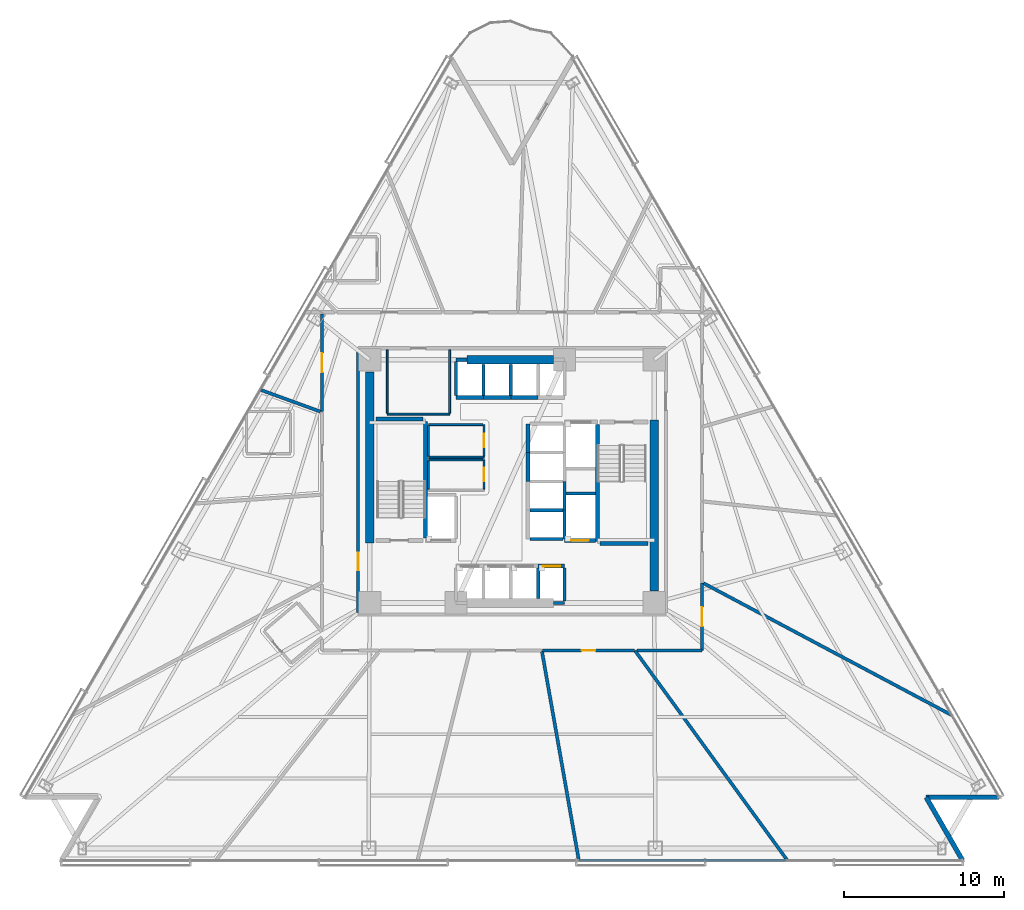
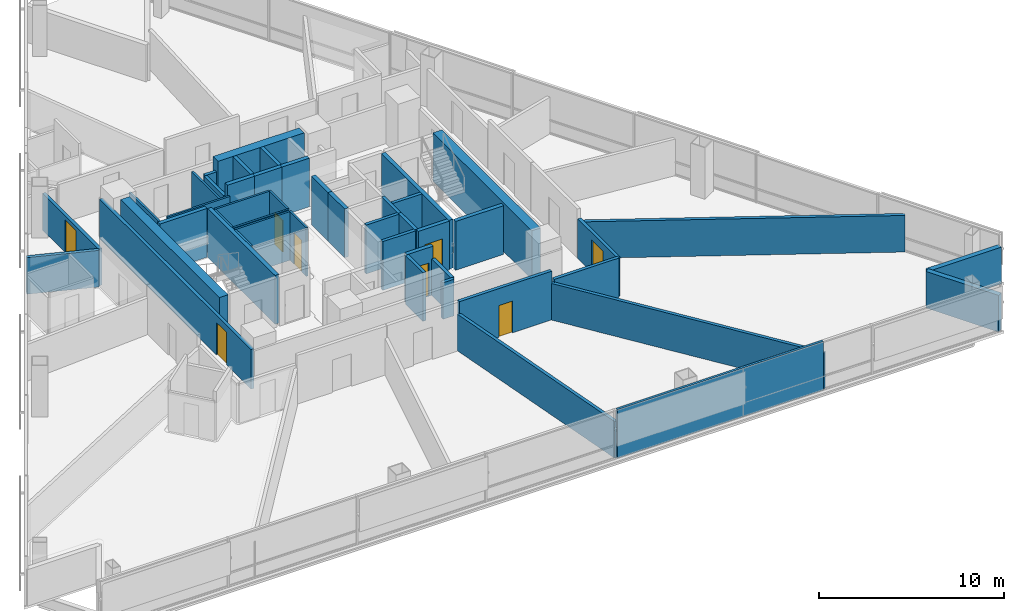
# One storey, part 8 of 16: 48 walls, 8 doors, 8 openings.
"""IFC4 building model written with IfcOpenShell, lengths in metres."""

from ifc_helpers import new_model, si_unit, direction, frame, frame_2d, origin, place, context, subcontext, project, spatial, rectangle, extrude, material, layer, layer_set, type_object, element, fill, save


model = new_model("IFC4")

# Units and contexts
model_context = context("Model", 3, precision=1e-05, world=origin(), true_north=direction((0.0, 1.0)))
body_context = subcontext(model_context, "Body", "Model", "MODEL_VIEW")
ifc_project = project(units=[si_unit("LENGTHUNIT", "METRE"), si_unit("AREAUNIT", "SQUARE_METRE"), si_unit("VOLUMEUNIT", "CUBIC_METRE"), si_unit("PLANEANGLEUNIT", "RADIAN"), si_unit("MASSUNIT", "GRAM", prefix="KILO")], contexts=[model_context])

# Site, building, storey
site_placement = place(None, origin())
site = spatial("IfcSite", under=ifc_project, at=site_placement, CompositionType="ELEMENT")
building_placement = place(site_placement, origin())
building = spatial("IfcBuilding", under=site, at=building_placement, Name="Tharavind Bronze Gate", CompositionType="ELEMENT")
storey_placement = place(building_placement, frame((0.0, 0.0, 45.449951171875)))
storey = spatial("IfcBuildingStorey", under=building, at=storey_placement, Name="L10", CompositionType="ELEMENT", Elevation=45.449951171875)

# Walls
ifc_material_1 = material(Name="Concrete C40/50", Category="concrete")
ifc_layer_1 = layer(ifc_material_1, 0.300048828125)
ifc_layer_set_1 = layer_set([ifc_layer_1], Name="Concrete C40/50")
wall_type_1 = type_object("IfcWallType", Name="EXTERIOR SPANDREL WALL 300", PredefinedType="STANDARD", material=ifc_layer_set_1)
wall_1_placement = place(storey_placement, frame((28.17578125, -23.699951171875, 0.0), z_axis=(0.0, 0.0, 1.0), x_axis=(-0.500014431597, 0.866017071537, 0.0)))
element("IfcWall", 1, at=wall_1_placement, inside=storey, type_object=wall_type_1, Name="L10 notch cheek wall 3A", PredefinedType="STANDARD", context=body_context, shape_type="SweptSolid", body=[
    extrude(rectangle(XDim=4.559814453125, YDim=0.300048828125, at=frame_2d((2.27978515625, 0.0))), origin(), (0.0, 0.0, 1.0), 2.420166015625),
])
wall_2_placement = place(storey_placement, frame((25.895751953125, -19.7509765625, 0.0), z_axis=(0.0, 0.0, 1.0), x_axis=(1.0, 0.0, 0.0)))
element("IfcWall", 2, at=wall_2_placement, inside=storey, type_object=wall_type_1, Name="L10 notch cheek wall 3B", PredefinedType="STANDARD", context=body_context, shape_type="SweptSolid", body=[
    extrude(rectangle(XDim=4.56005859375, YDim=0.300048828125, at=frame_2d((2.280029296875, 0.0))), origin(), (0.0, 0.0, 1.0), 2.420166015625),
])

# Wall, opening, door
ifc_material_2 = material(Name="Aerated Concrete Block", Category="concrete")
ifc_layer_2 = layer(ifc_material_2, 0.199951171875)
ifc_layer_set_2 = layer_set([ifc_layer_2], Name="Aerated Concrete Block")
wall_type_2 = type_object("IfcWallType", Name="FIRE RATED PARTITION 200", PredefinedType="PARTITIONING", material=ifc_layer_set_2)
wall_3_placement = place(storey_placement, frame((-9.6201171875, 8.199951171875, 0.0), z_axis=(0.0, 0.0, 1.0), x_axis=(0.0, -1.0, 0.0)))
wall_3 = element("IfcWall", 3, at=wall_3_placement, inside=storey, type_object=wall_type_2, Name="L10 west core corridor wall", PredefinedType="PARTITIONING", context=body_context, shape_type="SweptSolid", body=[
    extrude(rectangle(XDim=16.39990234375, YDim=0.199951171875, at=frame_2d((8.199951171875, 0.0))), origin(), (0.0, 0.0, 1.0), 2.6201171875),
])
opening_1_placement = place(wall_3_placement, frame((12.64990234375, 0.0, 0.0)))
opening_1 = element("IfcOpeningElement", 4, at=opening_1_placement, cuts=wall_3, Name="Opening ID01", PredefinedType="OPENING", context=body_context, shape_type="SweptSolid", body=[
    extrude(rectangle(XDim=1.10009765625, YDim=2.14990234375, at=frame_2d((0.550048828125, 1.074951171875))), frame((0.0, 0.11009765625, 0.0), z_axis=(0.0, -1.0, 0.0), x_axis=(1.0, 0.0, 0.0)), (0.0, 0.0, 1.0), 0.219951171875),
])
ifc_material_3 = material(Name="Fire-Rated Steel", Category="steel")
door_type_1 = type_object("IfcDoorType", Name="STAIR CORE FIRE DOOR 1100X2150", OperationType="SINGLE_SWING_LEFT", PredefinedType="DOOR", material=ifc_material_3)
door_1_placement = place(opening_1_placement, frame((1.10009765625, 0.0, 0.0), z_axis=(0.0, 0.0, 1.0), x_axis=(-1.0, 0.0, 0.0)))
door_1 = element("IfcDoor", 5, at=door_1_placement, inside=storey, type_object=door_type_1, Name="L10 south west stair lobby fire door", OperationType="SINGLE_SWING_LEFT", OverallHeight=2.14990234375, OverallWidth=1.10009765625, PredefinedType="DOOR", context=body_context, shape_type="SweptSolid", body=[
    extrude(rectangle(XDim=1.10009765625, YDim=2.14990234375, at=frame_2d((0.550048828125, 1.074951171875))), frame((0.0, 0.02490234375, 0.0), z_axis=(0.0, -1.0, 0.0), x_axis=(1.0, 0.0, 0.0)), (0.0, 0.0, 1.0), 0.050048828125),
])
fill(opening_1, door_1)

# Wall
wall_4_placement = place(storey_placement, frame((4.17529296875, -23.67919921875, 0.0), z_axis=(0.0, 0.0, 1.0), x_axis=(-0.173657301911, 0.984806144118, 0.0)))
element("IfcWall", 6, at=wall_4_placement, inside=storey, type_object=wall_type_2, Name="L10 Public Restrooms Block partition", PredefinedType="PARTITIONING", context=body_context, shape_type="SweptSolid", body=[
    extrude(rectangle(XDim=13.271484375, YDim=0.199951171875, at=frame_2d((6.6357421875, 0.0))), origin(), (0.0, 0.0, 1.0), 2.420166015625),
])

# Wall, opening, door
wall_5_placement = place(storey_placement, frame((1.895263671875, -10.580078125, 0.0), z_axis=(0.0, 0.0, 1.0), x_axis=(1.0, 0.0, 0.0)))
wall_5 = element("IfcWall", 7, at=wall_5_placement, inside=storey, type_object=wall_type_2, Name="L10 Public Restrooms Block partition", PredefinedType="PARTITIONING", context=body_context, shape_type="SweptSolid", body=[
    extrude(rectangle(XDim=5.77880859375, YDim=0.199951171875, at=frame_2d((2.889404296875, 0.0))), origin(), (0.0, 0.0, 1.0), 3.22509765625),
])
opening_2_placement = place(wall_5_placement, frame((2.464111328125, 0.0, 0.0)))
opening_2 = element("IfcOpeningElement", 8, at=opening_2_placement, cuts=wall_5, Name="Opening ID06", PredefinedType="OPENING", context=body_context, shape_type="SweptSolid", body=[
    extrude(rectangle(XDim=0.85009765625, YDim=2.10009765625, at=frame_2d((0.425048828125, 1.050048828125))), frame((0.0, 0.11009765625, 0.0), z_axis=(0.0, -1.0, 0.0), x_axis=(1.0, 0.0, 0.0)), (0.0, 0.0, 1.0), 0.219951171875),
])
ifc_material_4 = material(Name="Moisture-Resistant Timber", Category="wood")
door_type_2 = type_object("IfcDoorType", Name="BATHROOM PRIVACY DOOR 850X2100", OperationType="SINGLE_SWING_RIGHT", PredefinedType="DOOR", material=ifc_material_4)
door_2_placement = place(opening_2_placement, origin())
door_2 = element("IfcDoor", 9, at=door_2_placement, inside=storey, type_object=door_type_2, Name="L10 Public Restrooms Block door", OperationType="SINGLE_SWING_RIGHT", OverallHeight=2.10009765625, OverallWidth=0.85009765625, PredefinedType="DOOR", context=body_context, shape_type="SweptSolid", body=[
    extrude(rectangle(XDim=0.85009765625, YDim=2.10009765625, at=frame_2d((0.425048828125, 1.050048828125))), frame((0.0, 0.02490234375, 0.0), z_axis=(0.0, -1.0, 0.0), x_axis=(1.0, 0.0, 0.0)), (0.0, 0.0, 1.0), 0.050048828125),
])
fill(opening_2, door_2)

# Wall
wall_6_placement = place(storey_placement, frame((7.6943359375, -10.59033203125, 0.0), z_axis=(0.0, 0.0, 1.0), x_axis=(0.587783732443, -0.809018098608, 0.0)))
element("IfcWall", 10, at=wall_6_placement, inside=storey, type_object=wall_type_2, Name="L10 Public Restrooms Block partition", PredefinedType="PARTITIONING", context=body_context, shape_type="SweptSolid", body=[
    extrude(rectangle(XDim=16.204345703125, YDim=0.199951171875, at=frame_2d((8.10205078125, 0.0))), origin(), (0.0, 0.0, 1.0), 2.420166015625),
])

# Wall, opening, door
wall_7_placement = place(storey_placement, frame((-11.8798828125, 10.47509765625, 0.0), z_axis=(0.0, 0.0, 1.0), x_axis=(0.0, -1.0, 0.0)))
wall_7 = element("IfcWall", 11, at=wall_7_placement, inside=storey, type_object=wall_type_2, Name="L10 Hotel Guest Lounge partition", PredefinedType="PARTITIONING", context=body_context, shape_type="SweptSolid", body=[
    extrude(rectangle(XDim=6.115478515625, YDim=0.199951171875, at=frame_2d((3.0576171875, 0.0))), origin(), (0.0, 0.0, 1.0), 2.420166015625),
])
opening_3_placement = place(wall_7_placement, frame((2.4580078125, 0.0, 0.0)))
opening_3 = element("IfcOpeningElement", 12, at=opening_3_placement, cuts=wall_7, Name="Opening ID05", PredefinedType="OPENING", context=body_context, shape_type="SweptSolid", body=[
    extrude(rectangle(XDim=1.199951171875, YDim=2.14990234375, at=frame_2d((0.60009765625, 1.074951171875))), frame((0.0, 0.11009765625, 0.0), z_axis=(0.0, -1.0, 0.0), x_axis=(1.0, 0.0, 0.0)), (0.0, 0.0, 1.0), 0.219951171875),
])
ifc_material_5 = material(Name="Acoustic Laminated Glass", Category="glass")
door_type_3 = type_object("IfcDoorType", Name="MEETING ROOM GLAZED DOOR 1200X2150", OperationType="SINGLE_SWING_LEFT", PredefinedType="DOOR", material=ifc_material_5)
door_3_placement = place(opening_3_placement, origin())
door_3 = element("IfcDoor", 13, at=door_3_placement, inside=storey, type_object=door_type_3, Name="L10 Hotel Guest Lounge door", OperationType="SINGLE_SWING_LEFT", OverallHeight=2.14990234375, OverallWidth=1.199951171875, PredefinedType="DOOR", context=body_context, shape_type="SweptSolid", body=[
    extrude(rectangle(XDim=1.199951171875, YDim=2.14990234375, at=frame_2d((0.60009765625, 1.074951171875))), frame((0.0, 0.02490234375, 0.0), z_axis=(0.0, -1.0, 0.0), x_axis=(1.0, 0.0, 0.0)), (0.0, 0.0, 1.0), 0.050048828125),
])
fill(opening_3, door_3)

# Wall
wall_8_placement = place(storey_placement, frame((-11.985107421875, 4.3623046875, 0.0), z_axis=(0.0, 0.0, 1.0), x_axis=(-0.939696437289, 0.342009657388, 0.0)))
element("IfcWall", 14, at=wall_8_placement, inside=storey, type_object=wall_type_2, Name="L10 Hotel Guest Lounge partition", PredefinedType="PARTITIONING", context=body_context, shape_type="SweptSolid", body=[
    extrude(rectangle(XDim=3.970458984375, YDim=0.199951171875, at=frame_2d((1.9853515625, 0.0))), origin(), (0.0, 0.0, 1.0), 2.420166015625),
])

# Wall, opening, door
wall_9_placement = place(storey_placement, frame((11.8798828125, -10.579345703125, 0.0), z_axis=(0.0, 0.0, 1.0), x_axis=(0.0, 1.0, 0.0)))
wall_9 = element("IfcWall", 15, at=wall_9_placement, inside=storey, type_object=wall_type_2, Name="L10 Hotel Guest Lounge partition", PredefinedType="PARTITIONING", context=body_context, shape_type="SweptSolid", body=[
    extrude(rectangle(XDim=4.220947265625, YDim=0.199951171875, at=frame_2d((2.1103515625, 0.0))), origin(), (0.0, 0.0, 1.0), 2.6201171875),
])
opening_4_placement = place(wall_9_placement, frame((1.510986328125, 0.0, 0.0)))
opening_4 = element("IfcOpeningElement", 16, at=opening_4_placement, cuts=wall_9, Name="Opening ID05", PredefinedType="OPENING", context=body_context, shape_type="SweptSolid", body=[
    extrude(rectangle(XDim=1.199951171875, YDim=2.14990234375, at=frame_2d((0.60009765625, 1.074951171875))), frame((0.0, 0.11009765625, 0.0), z_axis=(0.0, -1.0, 0.0), x_axis=(1.0, 0.0, 0.0)), (0.0, 0.0, 1.0), 0.219951171875),
])
door_4_placement = place(opening_4_placement, origin())
door_4 = element("IfcDoor", 17, at=door_4_placement, inside=storey, type_object=door_type_3, Name="L10 Hotel Guest Lounge door", OperationType="SINGLE_SWING_LEFT", OverallHeight=2.14990234375, OverallWidth=1.199951171875, PredefinedType="DOOR", context=body_context, shape_type="SweptSolid", body=[
    extrude(rectangle(XDim=1.199951171875, YDim=2.14990234375, at=frame_2d((0.60009765625, 1.074951171875))), frame((0.0, 0.02490234375, 0.0), z_axis=(0.0, -1.0, 0.0), x_axis=(1.0, 0.0, 0.0)), (0.0, 0.0, 1.0), 0.050048828125),
])
fill(opening_4, door_4)

# Walls
wall_10_placement = place(storey_placement, frame((11.985107421875, -6.37255859375, 0.0), z_axis=(0.0, 0.0, 1.0), x_axis=(0.882946229684, -0.469474126536, 0.0)))
element("IfcWall", 18, at=wall_10_placement, inside=storey, type_object=wall_type_2, Name="L10 Hotel Guest Lounge partition", PredefinedType="PARTITIONING", context=body_context, shape_type="SweptSolid", body=[
    extrude(rectangle(XDim=17.5556640625, YDim=0.199951171875, at=frame_2d((8.77783203125, 0.0))), origin(), (0.0, 0.0, 1.0), 2.420166015625),
])
wall_11_placement = place(storey_placement, frame((7.816650390625, -10.580078125, 0.0), z_axis=(0.0, 0.0, 1.0), x_axis=(1.0, 0.0, 0.0)))
element("IfcWall", 19, at=wall_11_placement, inside=storey, type_object=wall_type_2, Name="L10 Hotel Guest Lounge partition", PredefinedType="PARTITIONING", context=body_context, shape_type="SweptSolid", body=[
    extrude(rectangle(XDim=4.062744140625, YDim=0.199951171875, at=frame_2d((2.03125, 0.0))), origin(), (0.0, 0.0, 1.0), 2.6201171875),
])
ifc_material_6 = material(Name="Metal Stud Gypsum Partition", Category="gypsum")
ifc_layer_3 = layer(ifc_material_6, 0.1201171875)
ifc_layer_set_3 = layer_set([ifc_layer_3], Name="Metal Stud Gypsum Partition")
wall_type_3 = type_object("IfcWallType", Name="INTERIOR PARTITION WALL 120", PredefinedType="PARTITIONING", material=ifc_layer_set_3)
wall_12_placement = place(storey_placement, frame((-5.219970703125, 1.52001953125, 0.0), z_axis=(0.0, 0.0, 1.0), x_axis=(1.0, 0.0, 0.0)))
element("IfcWall", 20, at=wall_12_placement, inside=storey, type_object=wall_type_3, Name="L10 Cleaner Store Room partition 1", PredefinedType="PARTITIONING", context=body_context, shape_type="SweptSolid", body=[
    extrude(rectangle(XDim=3.469970703125, YDim=0.1201171875, at=frame_2d((1.73486328125, 0.0))), origin(), (0.0, 0.0, 1.0), 3.22509765625),
])

# Wall, opening, door
wall_13_placement = place(storey_placement, frame((-1.75, 1.5849609375, 0.0), z_axis=(0.0, 0.0, 1.0), x_axis=(0.0, 1.0, 0.0)))
wall_13 = element("IfcWall", 21, at=wall_13_placement, inside=storey, type_object=wall_type_3, Name="L10 Cleaner Store Room partition 2", PredefinedType="PARTITIONING", context=body_context, shape_type="SweptSolid", body=[
    extrude(rectangle(XDim=1.965087890625, YDim=0.1201171875, at=frame_2d((0.982421875, 0.0))), origin(), (0.0, 0.0, 1.0), 3.22509765625),
])
opening_5_placement = place(wall_13_placement, frame((0.556884765625, 0.0, 0.0)))
opening_5 = element("IfcOpeningElement", 22, at=opening_5_placement, cuts=wall_13, Name="Opening ID06", PredefinedType="OPENING", context=body_context, shape_type="SweptSolid", body=[
    extrude(rectangle(XDim=0.85009765625, YDim=2.10009765625, at=frame_2d((0.425048828125, 1.050048828125))), frame((0.0, 0.07005859375, 0.0), z_axis=(0.0, -1.0, 0.0), x_axis=(1.0, 0.0, 0.0)), (0.0, 0.0, 1.0), 0.1401171875),
])
door_5_placement = place(opening_5_placement, frame((0.85009765625, 0.0, 0.0), z_axis=(0.0, 0.0, 1.0), x_axis=(-1.0, 0.0, 0.0)))
door_5 = element("IfcDoor", 23, at=door_5_placement, inside=storey, type_object=door_type_2, Name="L10 Cleaner Store Room door", OperationType="SINGLE_SWING_RIGHT", OverallHeight=2.10009765625, OverallWidth=0.85009765625, PredefinedType="DOOR", context=body_context, shape_type="SweptSolid", body=[
    extrude(rectangle(XDim=0.85009765625, YDim=2.10009765625, at=frame_2d((0.425048828125, 1.050048828125))), frame((0.0, 0.02490234375, 0.0), z_axis=(0.0, -1.0, 0.0), x_axis=(1.0, 0.0, 0.0)), (0.0, 0.0, 1.0), 0.050048828125),
])
fill(opening_5, door_5)

# Walls
wall_14_placement = place(storey_placement, frame((-1.81494140625, 3.550048828125, 0.0), z_axis=(0.0, 0.0, 1.0), x_axis=(-1.0, 0.0, 0.0)))
element("IfcWall", 24, at=wall_14_placement, inside=storey, type_object=wall_type_3, Name="L10 Cleaner Store Room partition 3", PredefinedType="PARTITIONING", context=body_context, shape_type="SweptSolid", body=[
    extrude(rectangle(XDim=3.405029296875, YDim=0.1201171875, at=frame_2d((1.70263671875, 0.0))), origin(), (0.0, 0.0, 1.0), 3.22509765625),
])
wall_15_placement = place(storey_placement, frame((-5.219970703125, 3.485107421875, 0.0), z_axis=(0.0, 0.0, 1.0), x_axis=(0.0, -1.0, 0.0)))
element("IfcWall", 25, at=wall_15_placement, inside=storey, type_object=wall_type_3, Name="L10 Cleaner Store Room partition 4", PredefinedType="PARTITIONING", context=body_context, shape_type="SweptSolid", body=[
    extrude(rectangle(XDim=1.900146484375, YDim=0.1201171875, at=frame_2d((0.9501953125, 0.0))), origin(), (0.0, 0.0, 1.0), 3.22509765625),
])

# Wall, opening, door
wall_16_placement = place(storey_placement, frame((-1.75, -0.485107421875, 0.0), z_axis=(0.0, 0.0, 1.0), x_axis=(0.0, 1.0, 0.0)))
wall_16 = element("IfcWall", 26, at=wall_16_placement, inside=storey, type_object=wall_type_3, Name="L10 Electrical Switch Room partition 2", PredefinedType="PARTITIONING", context=body_context, shape_type="SweptSolid", body=[
    extrude(rectangle(XDim=1.8251953125, YDim=0.1201171875, at=frame_2d((0.91259765625, 0.0))), origin(), (0.0, 0.0, 1.0), 3.22509765625),
])
opening_6_placement = place(wall_16_placement, frame((0.488037109375, 0.0, 0.0)))
opening_6 = element("IfcOpeningElement", 27, at=opening_6_placement, cuts=wall_16, Name="Opening ID06", PredefinedType="OPENING", context=body_context, shape_type="SweptSolid", body=[
    extrude(rectangle(XDim=0.85009765625, YDim=2.10009765625, at=frame_2d((0.425048828125, 1.050048828125))), frame((0.0, 0.07005859375, 0.0), z_axis=(0.0, -1.0, 0.0), x_axis=(1.0, 0.0, 0.0)), (0.0, 0.0, 1.0), 0.1401171875),
])
door_6_placement = place(opening_6_placement, frame((0.85009765625, 0.0, 0.0), z_axis=(0.0, 0.0, 1.0), x_axis=(-1.0, 0.0, 0.0)))
door_6 = element("IfcDoor", 28, at=door_6_placement, inside=storey, type_object=door_type_2, Name="L10 Electrical Switch Room door", OperationType="SINGLE_SWING_RIGHT", OverallHeight=2.10009765625, OverallWidth=0.85009765625, PredefinedType="DOOR", context=body_context, shape_type="SweptSolid", body=[
    extrude(rectangle(XDim=0.85009765625, YDim=2.10009765625, at=frame_2d((0.425048828125, 1.050048828125))), frame((0.0, 0.02490234375, 0.0), z_axis=(0.0, -1.0, 0.0), x_axis=(1.0, 0.0, 0.0)), (0.0, 0.0, 1.0), 0.050048828125),
])
fill(opening_6, door_6)

# Walls
wall_17_placement = place(storey_placement, frame((-1.81494140625, 1.340087890625, 0.0), z_axis=(0.0, 0.0, 1.0), x_axis=(-1.0, 0.0, 0.0)))
element("IfcWall", 29, at=wall_17_placement, inside=storey, type_object=wall_type_3, Name="L10 Electrical Switch Room partition 3", PredefinedType="PARTITIONING", context=body_context, shape_type="SweptSolid", body=[
    extrude(rectangle(XDim=3.405029296875, YDim=0.1201171875, at=frame_2d((1.70263671875, 0.0))), origin(), (0.0, 0.0, 1.0), 3.22509765625),
])
wall_18_placement = place(storey_placement, frame((-5.219970703125, 1.27490234375, 0.0), z_axis=(0.0, 0.0, 1.0), x_axis=(0.0, -1.0, 0.0)))
element("IfcWall", 30, at=wall_18_placement, inside=storey, type_object=wall_type_3, Name="L10 Electrical Switch Room partition 4", PredefinedType="PARTITIONING", context=body_context, shape_type="SweptSolid", body=[
    extrude(rectangle(XDim=1.760009765625, YDim=0.1201171875, at=frame_2d((0.8798828125, 0.0))), origin(), (0.0, 0.0, 1.0), 3.22509765625),
])
wall_19_placement = place(storey_placement, frame((-7.800048828125, 4.199951171875, 0.0), z_axis=(0.0, 0.0, 1.0), x_axis=(1.0, 0.0, 0.0)))
element("IfcWall", 31, at=wall_19_placement, inside=storey, type_object=wall_type_3, Name="L10 Electrical Switch Room partition 1", PredefinedType="PARTITIONING", context=body_context, shape_type="SweptSolid", body=[
    extrude(rectangle(XDim=3.900146484375, YDim=0.1201171875, at=frame_2d((1.9501953125, 0.0))), origin(), (0.0, 0.0, 1.0), 3.22509765625),
])
for number, where, z_axis, x_axis, name in (
    (32, (-3.89990234375, 4.264892578125, 0.0), (0.0, 0.0, 1.0), (0.0, 1.0, 0.0), "L10 Electrical Switch Room partition 2"),
    (33, (-7.800048828125, 8.215087890625, 0.0), (0.0, 0.0, 1.0), (0.0, -1.0, 0.0), "L10 Electrical Switch Room partition 4"),
):
    element("IfcWall", number, at=place(storey_placement, frame(where, z_axis=z_axis, x_axis=x_axis)), inside=storey, type_object=wall_type_3, Name=name, PredefinedType="PARTITIONING", context=body_context, shape_type="SweptSolid", body=[
        extrude(rectangle(XDim=3.9501953125, YDim=0.1201171875, at=frame_2d((1.97509765625, 0.0))), origin(), (0.0, 0.0, 1.0), 2.420166015625),
    ])
ifc_material_7 = material(Name="Twin Stud Acoustic Gypsum", Category="gypsum")
ifc_layer_4 = layer(ifc_material_7, 0.14990234375)
ifc_layer_set_4 = layer_set([ifc_layer_4], Name="Twin Stud Acoustic Gypsum")
wall_type_4 = type_object("IfcWallType", Name="INTERIOR PARTITION WALL 150", PredefinedType="PARTITIONING", material=ifc_layer_set_4)
wall_20_placement = place(storey_placement, frame((17.089111328125, -23.699951171875, 0.0), z_axis=(0.0, 0.0, 1.0), x_axis=(-1.0, 0.0, 0.0)))
element("IfcWall", 34, at=wall_20_placement, inside=storey, type_object=wall_type_4, Name="L10 Public Restrooms Block partition", PredefinedType="PARTITIONING", context=body_context, shape_type="SweptSolid", body=[
    extrude(rectangle(XDim=12.88916015625, YDim=0.14990234375, at=frame_2d((6.444580078125, 0.0))), origin(), (0.0, 0.0, 1.0), 3.22509765625),
])
ifc_material_8 = material(Name="Concrete C50/60", Category="concrete")
ifc_layer_5 = layer(ifc_material_8, 0.25)
ifc_layer_set_5 = layer_set([ifc_layer_5], Name="Concrete C50/60")
wall_type_5 = type_object("IfcWallType", Name="RC CORE SHEAR WALL 250", PredefinedType="SHEAR", material=ifc_layer_set_5)
wall_21_placement = place(storey_placement, frame((-5.39990234375, -3.550048828125, 0.0), z_axis=(0.0, 0.0, 1.0), x_axis=(0.0, 1.0, 0.0)))
element("IfcWall", 35, at=wall_21_placement, inside=storey, type_object=wall_type_5, Name="L10 ST1 shaft east wall", PredefinedType="SHEAR", context=body_context, shape_type="SweptSolid", body=[
    extrude(rectangle(XDim=7.300048828125, YDim=0.25, at=frame_2d((3.64990234375, 0.0))), origin(), (0.0, 0.0, 1.0), 3.22509765625),
])
wall_22_placement = place(storey_placement, frame((-8.5, 3.89990234375, 0.0), z_axis=(0.0, 0.0, 1.0), x_axis=(1.0, 0.0, 0.0)))
element("IfcWall", 36, at=wall_22_placement, inside=storey, type_object=wall_type_5, Name="L10 ST1 shaft north wall", PredefinedType="SHEAR", context=body_context, shape_type="SweptSolid", body=[
    extrude(rectangle(XDim=2.949951171875, YDim=0.25, at=frame_2d((1.47509765625, 0.0))), origin(), (0.0, 0.0, 1.0), 3.22509765625),
])
wall_23_placement = place(storey_placement, frame((5.35009765625, -3.75, 0.0), z_axis=(0.0, 0.0, 1.0), x_axis=(0.0, 1.0, 0.0)))
element("IfcWall", 37, at=wall_23_placement, inside=storey, type_object=wall_type_5, Name="L10 ST2 shaft west wall", PredefinedType="SHEAR", context=body_context, shape_type="SweptSolid", body=[
    extrude(rectangle(XDim=7.300048828125, YDim=0.25, at=frame_2d((3.64990234375, 0.0))), origin(), (0.0, 0.0, 1.0), 3.22509765625),
])
wall_24_placement = place(storey_placement, frame((5.5, -3.89990234375, 0.0), z_axis=(0.0, 0.0, 1.0), x_axis=(1.0, 0.0, 0.0)))
element("IfcWall", 38, at=wall_24_placement, inside=storey, type_object=wall_type_5, Name="L10 ST2 shaft south wall", PredefinedType="SHEAR", context=body_context, shape_type="SweptSolid", body=[
    extrude(rectangle(XDim=3.0, YDim=0.25, at=frame_2d((1.5, 0.0))), origin(), (0.0, 0.0, 1.0), 3.22509765625),
])

# Wall, opening, door
wall_25_placement = place(storey_placement, frame((1.637451171875, -5.300048828125, 0.0), z_axis=(0.0, 0.0, 1.0), x_axis=(1.0, 0.0, 0.0)))
wall_25 = element("IfcWall", 39, at=wall_25_placement, inside=storey, type_object=wall_type_5, Name="L10 lift PL4 shaft front wall", PredefinedType="SHEAR", context=body_context, shape_type="SweptSolid", body=[
    extrude(rectangle(XDim=1.642578125, YDim=0.25, at=frame_2d((0.8212890625, 0.0))), origin(), (0.0, 0.0, 1.0), 3.22509765625),
])
opening_7_placement = place(wall_25_placement, frame((0.27099609375, 0.0, 0.0)))
opening_7 = element("IfcOpeningElement", 40, at=opening_7_placement, cuts=wall_25, Name="Opening LD01", PredefinedType="OPENING", context=body_context, shape_type="SweptSolid", body=[
    extrude(rectangle(XDim=1.10009765625, YDim=2.199951171875, at=frame_2d((0.550048828125, 1.10009765625))), frame((0.0, 0.135, 0.0), z_axis=(0.0, -1.0, 0.0), x_axis=(1.0, 0.0, 0.0)), (0.0, 0.0, 1.0), 0.27),
])
ifc_material_9 = material(Name="Brushed Bronze Stainless Steel", Category="steel")
door_type_4 = type_object("IfcDoorType", Name="LIFT LANDING SLIDING DOOR 1100X2200", OperationType="SLIDING_TO_LEFT", PredefinedType="DOOR", material=ifc_material_9)
door_7_placement = place(opening_7_placement, origin())
door_7 = element("IfcDoor", 41, at=door_7_placement, inside=storey, type_object=door_type_4, Name="L10 lift PL4 sliding landing door", OperationType="SLIDING_TO_LEFT", OverallHeight=2.199951171875, OverallWidth=1.10009765625, PredefinedType="DOOR", context=body_context, shape_type="SweptSolid", body=[
    extrude(rectangle(XDim=1.10009765625, YDim=2.199951171875, at=frame_2d((0.550048828125, 1.10009765625))), frame((0.0, 0.02490234375, 0.0), z_axis=(0.0, -1.0, 0.0), x_axis=(1.0, 0.0, 0.0)), (0.0, 0.0, 1.0), 0.050048828125),
])
fill(opening_7, door_7)

# Walls
wall_26_placement = place(storey_placement, frame((-3.5, 5.25, 0.0), z_axis=(0.0, 0.0, 1.0), x_axis=(1.0, 0.0, 0.0)))
element("IfcWall", 42, at=wall_26_placement, inside=storey, type_object=wall_type_5, Name="L10 lift PL5 shaft front wall", PredefinedType="SHEAR", context=body_context, shape_type="SweptSolid", body=[
    extrude(rectangle(XDim=1.71240234375, YDim=0.25, at=frame_2d((0.856201171875, 0.0))), origin(), (0.0, 0.0, 1.0), 3.22509765625),
])
wall_27_placement = place(storey_placement, frame((-1.78759765625, 5.25, 0.0), z_axis=(0.0, 0.0, 1.0), x_axis=(1.0, 0.0, 0.0)))
element("IfcWall", 43, at=wall_27_placement, inside=storey, type_object=wall_type_5, Name="L10 lift PL6 shaft front wall", PredefinedType="SHEAR", context=body_context, shape_type="SweptSolid", body=[
    extrude(rectangle(XDim=1.712646484375, YDim=0.25, at=frame_2d((0.8564453125, 0.0))), origin(), (0.0, 0.0, 1.0), 3.22509765625),
])
wall_28_placement = place(storey_placement, frame((-0.074951171875, 5.25, 0.0), z_axis=(0.0, 0.0, 1.0), x_axis=(1.0, 0.0, 0.0)))
element("IfcWall", 44, at=wall_28_placement, inside=storey, type_object=wall_type_5, Name="L10 lift PL7 shaft front wall", PredefinedType="SHEAR", context=body_context, shape_type="SweptSolid", body=[
    extrude(rectangle(XDim=1.71240234375, YDim=0.25, at=frame_2d((0.856201171875, 0.0))), origin(), (0.0, 0.0, 1.0), 3.22509765625),
])
for number, where, z_axis, x_axis, name in (
    (45, (1.0, 0.0, 0.0), (0.0, 0.0, 1.0), (0.0, 1.0, 0.0), "L10 lift PL11 shaft front wall"),
    (46, (1.0, 1.800048828125, 0.0), (0.0, 0.0, 1.0), (0.0, 1.0, 0.0), "L10 lift PL12 shaft front wall"),
):
    element("IfcWall", number, at=place(storey_placement, frame(where, z_axis=z_axis, x_axis=x_axis)), inside=storey, type_object=wall_type_5, Name=name, PredefinedType="SHEAR", context=body_context, shape_type="SweptSolid", body=[
        extrude(rectangle(XDim=1.800048828125, YDim=0.25, at=frame_2d((0.89990234375, 0.0))), origin(), (0.0, 0.0, 1.0), 3.22509765625),
    ])

# Wall, opening, door
wall_29_placement = place(storey_placement, frame((3.280029296875, -3.699951171875, 0.0), z_axis=(0.0, 0.0, 1.0), x_axis=(1.0, 0.0, 0.0)))
wall_29 = element("IfcWall", 47, at=wall_29_placement, inside=storey, type_object=wall_type_5, Name="L10 lift SVL1 shaft front wall", PredefinedType="SHEAR", context=body_context, shape_type="SweptSolid", body=[
    extrude(rectangle(XDim=1.93994140625, YDim=0.25, at=frame_2d((0.969970703125, 0.0))), origin(), (0.0, 0.0, 1.0), 3.22509765625),
])
opening_8_placement = place(wall_29_placement, frame((0.419921875, 0.0, 0.0)))
opening_8 = element("IfcOpeningElement", 48, at=opening_8_placement, cuts=wall_29, Name="Opening LD01", PredefinedType="OPENING", context=body_context, shape_type="SweptSolid", body=[
    extrude(rectangle(XDim=1.10009765625, YDim=2.199951171875, at=frame_2d((0.550048828125, 1.10009765625))), frame((0.0, 0.135, 0.0), z_axis=(0.0, -1.0, 0.0), x_axis=(1.0, 0.0, 0.0)), (0.0, 0.0, 1.0), 0.27),
])
door_8_placement = place(opening_8_placement, origin())
door_8 = element("IfcDoor", 49, at=door_8_placement, inside=storey, type_object=door_type_4, Name="L10 lift SVL1 sliding landing door", OperationType="SLIDING_TO_LEFT", OverallHeight=2.199951171875, OverallWidth=1.10009765625, PredefinedType="DOOR", context=body_context, shape_type="SweptSolid", body=[
    extrude(rectangle(XDim=1.10009765625, YDim=2.199951171875, at=frame_2d((0.550048828125, 1.10009765625))), frame((0.0, 0.02490234375, 0.0), z_axis=(0.0, -1.0, 0.0), x_axis=(1.0, 0.0, 0.0)), (0.0, 0.0, 1.0), 0.050048828125),
])
fill(opening_8, door_8)

# Walls
ifc_material_10 = material(Name="Concrete C60/75", Category="concrete")
ifc_layer_6 = layer(ifc_material_10, 0.550048828125)
ifc_layer_set_6 = layer_set([ifc_layer_6], Name="Concrete C60/75")
wall_type_6 = type_object("IfcWallType", Name="RC CORE SHEAR WALL 550", PredefinedType="SHEAR", material=ifc_layer_set_6)
wall_30_placement = place(storey_placement, frame((-2.800048828125, 7.60009765625, 0.0), z_axis=(0.0, 0.0, 1.0), x_axis=(1.0, 0.0, 0.0)))
element("IfcWall", 50, at=wall_30_placement, inside=storey, type_object=wall_type_6, Name="L10 north core shear wall", PredefinedType="SHEAR", context=body_context, shape_type="SweptSolid", body=[
    extrude(rectangle(XDim=5.380126953125, YDim=0.550048828125, at=frame_2d((2.68994140625, 0.0))), origin(), (0.0, 0.0, 1.0), 3.22509765625),
])
for number, where, z_axis, x_axis, name in (
    (51, (-8.89990234375, -3.85009765625, 0.0), (0.0, 0.0, 1.0), (0.0, 1.0, 0.0), "L10 west core shear wall"),
    (52, (8.89990234375, -6.85009765625, 0.0), (0.0, 0.0, 1.0), (0.0, 1.0, 0.0), "L10 east core shear wall"),
):
    element("IfcWall", number, at=place(storey_placement, frame(where, z_axis=z_axis, x_axis=x_axis)), inside=storey, type_object=wall_type_6, Name=name, PredefinedType="SHEAR", context=body_context, shape_type="SweptSolid", body=[
        extrude(rectangle(XDim=10.7001953125, YDim=0.550048828125, at=frame_2d((5.35009765625, 0.0))), origin(), (0.0, 0.0, 1.0), 3.22509765625),
    ])
ifc_layer_7 = layer(ifc_material_1, 0.199951171875)
ifc_layer_set_7 = layer_set([ifc_layer_7], Name="Concrete C40/50")
wall_type_7 = type_object("IfcWallType", Name="SHAFT ENCLOSURE WALL 200", PredefinedType="PARTITIONING", material=ifc_layer_set_7)
wall_31_placement = place(storey_placement, frame((1.637451171875, -7.320068359375, 0.0), z_axis=(0.0, 0.0, 1.0), x_axis=(0.0, 1.0, 0.0)))
element("IfcWall", 53, at=wall_31_placement, inside=storey, type_object=wall_type_7, Name="L10 lift PL3 shaft E enclosure wall", PredefinedType="PARTITIONING", context=body_context, shape_type="SweptSolid", body=[
    extrude(rectangle(XDim=1.89013671875, YDim=0.199951171875, at=frame_2d((0.945068359375, 0.0))), origin(), (0.0, 0.0, 1.0), 3.22509765625),
])
wall_32_placement = place(storey_placement, frame((2.580078125, -7.60009765625, 0.0), z_axis=(0.0, 0.0, 1.0), x_axis=(1.0, 0.0, 0.0)))
element("IfcWall", 54, at=wall_32_placement, inside=storey, type_object=wall_type_7, Name="L10 lift PL4 shaft S enclosure wall", PredefinedType="PARTITIONING", context=body_context, shape_type="SweptSolid", body=[
    extrude(rectangle(XDim=0.699951171875, YDim=0.199951171875, at=frame_2d((0.35009765625, 0.0))), origin(), (0.0, 0.0, 1.0), 2.420166015625),
])
wall_33_placement = place(storey_placement, frame((3.280029296875, -7.4951171875, 0.0), z_axis=(0.0, 0.0, 1.0), x_axis=(0.0, 1.0, 0.0)))
element("IfcWall", 55, at=wall_33_placement, inside=storey, type_object=wall_type_7, Name="L10 lift PL4 shaft E enclosure wall", PredefinedType="PARTITIONING", context=body_context, shape_type="SweptSolid", body=[
    extrude(rectangle(XDim=2.065185546875, YDim=0.199951171875, at=frame_2d((1.03271484375, 0.0))), origin(), (0.0, 0.0, 1.0), 2.420166015625),
])
wall_34_placement = place(storey_placement, frame((-3.5, 7.60009765625, 0.0), z_axis=(0.0, 0.0, 1.0), x_axis=(1.0, 0.0, 0.0)))
element("IfcWall", 56, at=wall_34_placement, inside=storey, type_object=wall_type_7, Name="L10 lift PL5 shaft N enclosure wall", PredefinedType="PARTITIONING", context=body_context, shape_type="SweptSolid", body=[
    extrude(rectangle(XDim=0.699951171875, YDim=0.199951171875, at=frame_2d((0.35009765625, 0.0))), origin(), (0.0, 0.0, 1.0), 2.420166015625),
])
wall_35_placement = place(storey_placement, frame((-3.5, 5.3798828125, 0.0), z_axis=(0.0, 0.0, 1.0), x_axis=(0.0, 1.0, 0.0)))
element("IfcWall", 57, at=wall_35_placement, inside=storey, type_object=wall_type_7, Name="L10 lift PL5 shaft W enclosure wall", PredefinedType="PARTITIONING", context=body_context, shape_type="SweptSolid", body=[
    extrude(rectangle(XDim=2.115234375, YDim=0.199951171875, at=frame_2d((1.0576171875, 0.0))), origin(), (0.0, 0.0, 1.0), 2.420166015625),
])
for number, where, z_axis, x_axis, name in (
    (58, (-1.78759765625, 5.3798828125, 0.0), (0.0, 0.0, 1.0), (0.0, 1.0, 0.0), "L10 lift PL5 shaft E enclosure wall"),
    (59, (-0.074951171875, 5.3798828125, 0.0), (0.0, 0.0, 1.0), (0.0, 1.0, 0.0), "L10 lift PL6 shaft E enclosure wall"),
):
    element("IfcWall", number, at=place(storey_placement, frame(where, z_axis=z_axis, x_axis=x_axis)), inside=storey, type_object=wall_type_7, Name=name, PredefinedType="PARTITIONING", context=body_context, shape_type="SweptSolid", body=[
        extrude(rectangle(XDim=1.940185546875, YDim=0.199951171875, at=frame_2d((0.97021484375, 0.0))), origin(), (0.0, 0.0, 1.0), 3.22509765625),
    ])
wall_36_placement = place(storey_placement, frame((3.280029296875, -3.60009765625, 0.0), z_axis=(0.0, 0.0, 1.0), x_axis=(0.0, 1.0, 0.0)))
element("IfcWall", 60, at=wall_36_placement, inside=storey, type_object=wall_type_7, Name="L10 lift PL9 shaft E enclosure wall", PredefinedType="PARTITIONING", context=body_context, shape_type="SweptSolid", body=[
    extrude(rectangle(XDim=1.800048828125, YDim=0.199951171875, at=frame_2d((0.89990234375, 0.0))), origin(), (0.0, 0.0, 1.0), 3.22509765625),
])
for number, where, z_axis, x_axis, name in (
    (61, (1.1298828125, -3.60009765625, 0.0), (0.0, 0.0, 1.0), (1.0, 0.0, 0.0), "L10 lift PL9 shaft S enclosure wall"),
    (62, (1.1298828125, -1.800048828125, 0.0), (0.0, 0.0, 1.0), (1.0, 0.0, 0.0), "L10 lift PL9 shaft N enclosure wall"),
):
    element("IfcWall", number, at=place(storey_placement, frame(where, z_axis=z_axis, x_axis=x_axis)), inside=storey, type_object=wall_type_7, Name=name, PredefinedType="PARTITIONING", context=body_context, shape_type="SweptSolid", body=[
        extrude(rectangle(XDim=2.045166015625, YDim=0.199951171875, at=frame_2d((1.0224609375, 0.0))), origin(), (0.0, 0.0, 1.0), 3.22509765625),
    ])
wall_37_placement = place(storey_placement, frame((3.280029296875, -1.800048828125, 0.0), z_axis=(0.0, 0.0, 1.0), x_axis=(0.0, 1.0, 0.0)))
element("IfcWall", 63, at=wall_37_placement, inside=storey, type_object=wall_type_7, Name="L10 lift PL10 shaft E enclosure wall", PredefinedType="PARTITIONING", context=body_context, shape_type="SweptSolid", body=[
    extrude(rectangle(XDim=1.800048828125, YDim=0.199951171875, at=frame_2d((0.89990234375, 0.0))), origin(), (0.0, 0.0, 1.0), 3.22509765625),
])
wall_38_placement = place(storey_placement, frame((3.385009765625, -0.75, 0.0), z_axis=(0.0, 0.0, 1.0), x_axis=(1.0, 0.0, 0.0)))
element("IfcWall", 64, at=wall_38_placement, inside=storey, type_object=wall_type_7, Name="L10 lift SVL1 shaft N enclosure wall", PredefinedType="PARTITIONING", context=body_context, shape_type="SweptSolid", body=[
    extrude(rectangle(XDim=1.8349609375, YDim=0.199951171875, at=frame_2d((0.91748046875, 0.0))), origin(), (0.0, 0.0, 1.0), 3.22509765625),
])

save(model, "model.ifc")
